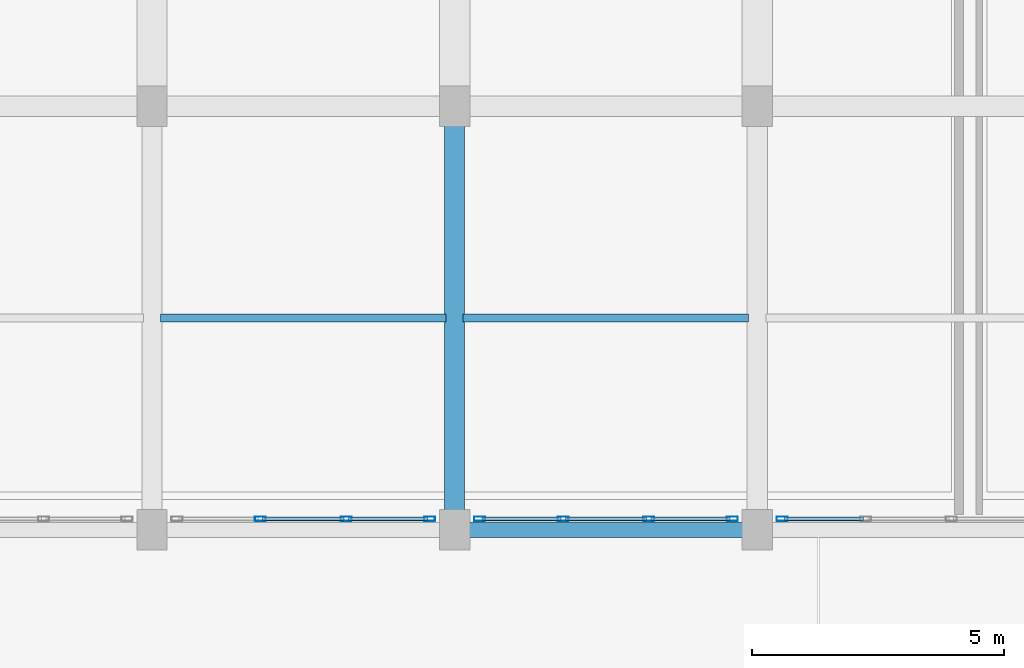
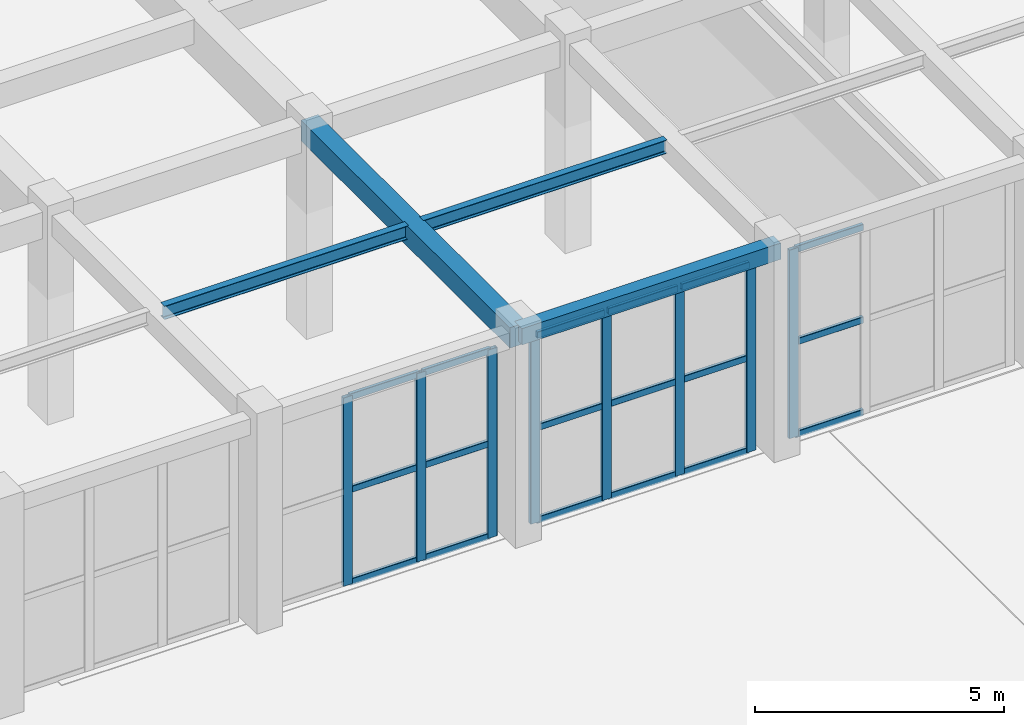
# One storey, part 46 of 98: 26 members, 4 beams, 3 elements without a shape of their own.
"""IFC4 building model written with IfcOpenShell, lengths in metres."""

from ifc_helpers import new_model, si_unit, direction, frame, origin, origin_2d, place, context, subcontext, project, spatial, rectangle, hollow_rectangle, i_section, extrude, material, layer, layer_set, material_profile, profile_set, type_object, element, aggregate, save


model = new_model("IFC4")

# Units and contexts
model_context = context("Model", 3, precision=1e-05, world=origin(), true_north=direction((0.0, 1.0)))
body_context = subcontext(model_context, "Body", "Model", "MODEL_VIEW")
ifc_project = project(units=[si_unit("LENGTHUNIT", "METRE"), si_unit("AREAUNIT", "SQUARE_METRE"), si_unit("VOLUMEUNIT", "CUBIC_METRE"), si_unit("PLANEANGLEUNIT", "RADIAN"), si_unit("MASSUNIT", "GRAM", prefix="KILO")], contexts=[model_context])

# Site, building, storey
site_placement = place(None, origin())
site = spatial("IfcSite", under=ifc_project, at=site_placement, CompositionType="ELEMENT")
building_placement = place(site_placement, origin())
building = spatial("IfcBuilding", under=site, at=building_placement, Name="Tarnavel Promenade Courthouse", CompositionType="ELEMENT")
storey_placement = place(building_placement, origin())
storey = spatial("IfcBuildingStorey", under=building, at=storey_placement, Name="L01", CompositionType="ELEMENT", Elevation=0.0)

# Beams
ifc_material_1 = material(Name="Concrete C40/50", Category="concrete")
ifc_material_profile_1 = material_profile(ifc_material_1, rectangle(XDim=0.39990234375, YDim=0.5, at=origin_2d()), Name="RC 400x500")
ifc_profile_set_1 = profile_set([ifc_material_profile_1], Name="Concrete C40/50")
beam_type_1 = type_object("IfcBeamType", Name="Concrete C40/50 BM-RC-400x500 (RC 400x500)", PredefinedType="BEAM", material=ifc_profile_set_1)
beam_1_placement = place(storey_placement, frame((132.0, 28.800048828125, 4.885009765625), z_axis=(0.0, 1.0, 0.0), x_axis=(-1.0, 0.0, 0.0)))
element("IfcBeam", 1, at=beam_1_placement, inside=storey, type_object=beam_type_1, Name="L01 Transverse Girder 0850", PredefinedType="BEAM", context=body_context, shape_type="SweptSolid", body=[
    extrude(rectangle(XDim=0.39990234375, YDim=0.5, at=origin_2d()), origin(), (0.0, 0.0, 1.0), 8.39990234375),
])
ifc_material_profile_2 = material_profile(ifc_material_1, rectangle(XDim=0.300048828125, YDim=0.39990234375, at=origin_2d()), Name="RC 300x400")
ifc_profile_set_2 = profile_set([ifc_material_profile_2], Name="Concrete C40/50")
beam_type_2 = type_object("IfcBeamType", Name="Concrete C40/50 BM-SP-300x400 (RC 300x400)", PredefinedType="SPANDREL", material=ifc_profile_set_2)
beam_2_placement = place(storey_placement, frame((132.0, 28.800048828125, 4.93505859375), z_axis=(1.0, 0.0, 0.0), x_axis=(0.0, 1.0, 0.0)))
element("IfcBeam", 2, at=beam_2_placement, inside=storey, type_object=beam_type_2, Name="L01 Primary Longitudinal Beam 0593", PredefinedType="SPANDREL", context=body_context, shape_type="SweptSolid", body=[
    extrude(rectangle(XDim=0.300048828125, YDim=0.39990234375, at=origin_2d()), origin(), (0.0, 0.0, 1.0), 6.0),
])
ifc_material_2 = material(Name="Steel S355J2", Category="steel")
ifc_material_profile_3 = material_profile(ifc_material_2, i_section(OverallWidth=0.159912109375, OverallDepth=0.330078125, WebThickness=0.007568359375, FlangeThickness=0.011474609375, FilletRadius=0.01806640625, at=origin_2d()), Name="IPE 330")
ifc_profile_set_3 = profile_set([ifc_material_profile_3], Name="Steel S355J2")
beam_type_3 = type_object("IfcBeamType", Name="Steel S355J2 BM-ST-IPE330 (IPE 330)", PredefinedType="JOIST", material=ifc_profile_set_3)
for number, where, z_axis, x_axis, name in (
    (3, (126.169921875, 33.0, 4.969970703125), (1.0, 0.0, 0.0), (0.0, 1.0, 0.0), "L01 Secondary Floor Rib 0907"),
    (4, (132.169921875, 33.0, 4.969970703125), (1.0, 0.0, 0.0), (0.0, 1.0, 0.0), "L01 Secondary Floor Rib 0908"),
):
    element("IfcBeam", number, at=place(storey_placement, frame(where, z_axis=z_axis, x_axis=x_axis)), inside=storey, type_object=beam_type_3, Name=name, PredefinedType="JOIST", context=body_context, shape_type="SweptSolid", body=[
        extrude(i_section(OverallWidth=0.159912109375, OverallDepth=0.330078125, WebThickness=0.007568359375, FlangeThickness=0.011474609375, FilletRadius=0.01806640625, at=origin_2d()), origin(), (0.0, 0.0, 1.0), 5.66015625),
    ])

# Curtain wall, members
ifc_material_3 = material(Name="Thermally Broken Anodised Aluminium Curtain Wall System", Category="aluminium")
ifc_layer = layer(ifc_material_3, 0.199951171875)
ifc_layer_set = layer_set([ifc_layer], Name="Thermally Broken Anodised Aluminium Curtain Wall System")
curtain_wall_type = type_object("IfcCurtainWallType", Name="Thermally Broken Aluminium Triple-Glazed Curtain Wall CW-FOYER", PredefinedType="NOTDEFINED", material=ifc_layer_set)
curtain_wall_1_placement = place(storey_placement, origin())
curtain_wall_1 = element("IfcCurtainWall", 5, at=curtain_wall_1_placement, inside=storey, type_object=curtain_wall_type, Name="L01 Ceremonial Cloister Curtain Wall 159", PredefinedType="NOTDEFINED")
ifc_material_4 = material(Name="Thermally Broken Anodised Aluminium Frame", Category="aluminium")
ifc_material_profile_4 = material_profile(ifc_material_4, hollow_rectangle(XDim=0.090087890625, YDim=0.219970703125, WallThickness=0.0048828125, InnerFilletRadius=0.0048828125, OuterFilletRadius=0.010009765625, at=origin_2d()), Name="CWM 220x90x5")
ifc_profile_set_4 = profile_set([ifc_material_profile_4], Name="Thermally Broken Anodised Aluminium Frame")
member_type_1 = type_object("IfcMemberType", Name="Thermally Broken Anodised Aluminium CWM-175 (CWM 220x90x5)", PredefinedType="MULLION", material=ifc_profile_set_4)
member_1_placement = place(storey_placement, frame((128.14990234375, 29.02001953125, 0.0), z_axis=(0.0, 0.0, 1.0), x_axis=(0.0, 1.0, 0.0)))
member_1 = element("IfcMember", 6, at=member_1_placement, type_object=member_type_1, Name="CW-04 mullion 2", PredefinedType="MULLION", context=body_context, shape_type="SweptSolid", body=[
    extrude(hollow_rectangle(XDim=0.090087890625, YDim=0.219970703125, WallThickness=0.0048828125, InnerFilletRadius=0.0048828125, OuterFilletRadius=0.010009765625, at=origin_2d()), origin(), (0.0, 0.0, 1.0), 4.6201171875),
])
member_2_placement = place(storey_placement, frame((129.85009765625, 29.02001953125, 0.0), z_axis=(0.0, 0.0, 1.0), x_axis=(0.0, 1.0, 0.0)))
member_2 = element("IfcMember", 7, at=member_2_placement, type_object=member_type_1, Name="CW-04 mullion 3", PredefinedType="MULLION", context=body_context, shape_type="SweptSolid", body=[
    extrude(hollow_rectangle(XDim=0.090087890625, YDim=0.219970703125, WallThickness=0.0048828125, InnerFilletRadius=0.0048828125, OuterFilletRadius=0.010009765625, at=origin_2d()), origin(), (0.0, 0.0, 1.0), 4.6201171875),
])
member_3_placement = place(storey_placement, frame((131.5048828125, 29.02001953125, 0.0), z_axis=(0.0, 0.0, 1.0), x_axis=(0.0, 1.0, 0.0)))
member_3 = element("IfcMember", 8, at=member_3_placement, type_object=member_type_1, Name="CW-04 mullion 4", PredefinedType="MULLION", context=body_context, shape_type="SweptSolid", body=[
    extrude(hollow_rectangle(XDim=0.090087890625, YDim=0.219970703125, WallThickness=0.0048828125, InnerFilletRadius=0.0048828125, OuterFilletRadius=0.010009765625, at=origin_2d()), origin(), (0.0, 0.0, 1.0), 4.6201171875),
])

curtain_wall_2_placement = place(storey_placement, origin())
curtain_wall_2 = element("IfcCurtainWall", 9, at=curtain_wall_2_placement, inside=storey, type_object=curtain_wall_type, Name="L01 Ceremonial Cloister Curtain Wall 160", PredefinedType="NOTDEFINED")
member_4_placement = place(storey_placement, frame((132.4951171875, 29.02001953125, 0.0), z_axis=(0.0, 0.0, 1.0), x_axis=(0.0, 1.0, 0.0)))
member_4 = element("IfcMember", 10, at=member_4_placement, type_object=member_type_1, Name="CW-04 mullion 1", PredefinedType="MULLION", context=body_context, shape_type="SweptSolid", body=[
    extrude(hollow_rectangle(XDim=0.090087890625, YDim=0.219970703125, WallThickness=0.0048828125, InnerFilletRadius=0.0048828125, OuterFilletRadius=0.010009765625, at=origin_2d()), origin(), (0.0, 0.0, 1.0), 4.6201171875),
])
member_5_placement = place(storey_placement, frame((134.14990234375, 29.02001953125, 0.0), z_axis=(0.0, 0.0, 1.0), x_axis=(0.0, 1.0, 0.0)))
member_5 = element("IfcMember", 11, at=member_5_placement, type_object=member_type_1, Name="CW-04 mullion 2", PredefinedType="MULLION", context=body_context, shape_type="SweptSolid", body=[
    extrude(hollow_rectangle(XDim=0.090087890625, YDim=0.219970703125, WallThickness=0.0048828125, InnerFilletRadius=0.0048828125, OuterFilletRadius=0.010009765625, at=origin_2d()), origin(), (0.0, 0.0, 1.0), 4.6201171875),
])
member_6_placement = place(storey_placement, frame((135.85009765625, 29.02001953125, 0.0), z_axis=(0.0, 0.0, 1.0), x_axis=(0.0, 1.0, 0.0)))
member_6 = element("IfcMember", 12, at=member_6_placement, type_object=member_type_1, Name="CW-04 mullion 3", PredefinedType="MULLION", context=body_context, shape_type="SweptSolid", body=[
    extrude(hollow_rectangle(XDim=0.090087890625, YDim=0.219970703125, WallThickness=0.0048828125, InnerFilletRadius=0.0048828125, OuterFilletRadius=0.010009765625, at=origin_2d()), origin(), (0.0, 0.0, 1.0), 4.6201171875),
])
member_7_placement = place(storey_placement, frame((137.5048828125, 29.02001953125, 0.0), z_axis=(0.0, 0.0, 1.0), x_axis=(0.0, 1.0, 0.0)))
member_7 = element("IfcMember", 13, at=member_7_placement, type_object=member_type_1, Name="CW-04 mullion 4", PredefinedType="MULLION", context=body_context, shape_type="SweptSolid", body=[
    extrude(hollow_rectangle(XDim=0.090087890625, YDim=0.219970703125, WallThickness=0.0048828125, InnerFilletRadius=0.0048828125, OuterFilletRadius=0.010009765625, at=origin_2d()), origin(), (0.0, 0.0, 1.0), 4.6201171875),
])

# Curtain wall, member
curtain_wall_3_placement = place(storey_placement, origin())
curtain_wall_3 = element("IfcCurtainWall", 14, at=curtain_wall_3_placement, inside=storey, type_object=curtain_wall_type, Name="L01 Ceremonial Cloister Curtain Wall 161", PredefinedType="NOTDEFINED")
member_8_placement = place(storey_placement, frame((138.4951171875, 29.02001953125, 0.0), z_axis=(0.0, 0.0, 1.0), x_axis=(0.0, 1.0, 0.0)))
member_8 = element("IfcMember", 15, at=member_8_placement, type_object=member_type_1, Name="CW-04 mullion 1", PredefinedType="MULLION", context=body_context, shape_type="SweptSolid", body=[
    extrude(hollow_rectangle(XDim=0.090087890625, YDim=0.219970703125, WallThickness=0.0048828125, InnerFilletRadius=0.0048828125, OuterFilletRadius=0.010009765625, at=origin_2d()), origin(), (0.0, 0.0, 1.0), 4.6201171875),
])

# Member
ifc_material_profile_5 = material_profile(ifc_material_4, hollow_rectangle(XDim=0.080078125, YDim=0.159912109375, WallThickness=0.0048828125, InnerFilletRadius=0.0048828125, OuterFilletRadius=0.010009765625, at=origin_2d()), Name="CWT 160x80x5")
ifc_profile_set_5 = profile_set([ifc_material_profile_5], Name="Thermally Broken Anodised Aluminium Frame")
member_type_2 = type_object("IfcMemberType", Name="Thermally Broken Anodised Aluminium CWT-145 (CWT 160x80x5)", PredefinedType="USERDEFINED", material=ifc_profile_set_5)
member_9_placement = place(storey_placement, frame((128.195068359375, 29.02001953125, 0.0400390625), z_axis=(1.0, 0.0, 0.0), x_axis=(0.0, 1.0, 0.0)))
member_9 = element("IfcMember", 16, at=member_9_placement, type_object=member_type_2, Name="CW-04 transom 2.1", ObjectType="TRANSOM", PredefinedType="USERDEFINED", context=body_context, shape_type="SweptSolid", body=[
    extrude(hollow_rectangle(XDim=0.080078125, YDim=0.159912109375, WallThickness=0.0048828125, InnerFilletRadius=0.0048828125, OuterFilletRadius=0.010009765625, at=origin_2d()), origin(), (0.0, 0.0, 1.0), 1.60986328125),
])

member_10_placement = place(storey_placement, frame((128.195068359375, 29.02001953125, 2.31005859375), z_axis=(1.0, 0.0, 0.0), x_axis=(0.0, 1.0, 0.0)))
member_10 = element("IfcMember", 17, at=member_10_placement, type_object=member_type_2, Name="CW-04 transom 2.2", ObjectType="TRANSOM", PredefinedType="USERDEFINED", context=body_context, shape_type="SweptSolid", body=[
    extrude(hollow_rectangle(XDim=0.080078125, YDim=0.159912109375, WallThickness=0.0048828125, InnerFilletRadius=0.0048828125, OuterFilletRadius=0.010009765625, at=origin_2d()), origin(), (0.0, 0.0, 1.0), 1.60986328125),
])

member_11_placement = place(storey_placement, frame((128.195068359375, 29.02001953125, 4.580078125), z_axis=(1.0, 0.0, 0.0), x_axis=(0.0, 1.0, 0.0)))
member_11 = element("IfcMember", 18, at=member_11_placement, type_object=member_type_2, Name="CW-04 transom 2.3", ObjectType="TRANSOM", PredefinedType="USERDEFINED", context=body_context, shape_type="SweptSolid", body=[
    extrude(hollow_rectangle(XDim=0.080078125, YDim=0.159912109375, WallThickness=0.0048828125, InnerFilletRadius=0.0048828125, OuterFilletRadius=0.010009765625, at=origin_2d()), origin(), (0.0, 0.0, 1.0), 1.60986328125),
])

member_12_placement = place(storey_placement, frame((129.89501953125, 29.02001953125, 0.0400390625), z_axis=(1.0, 0.0, 0.0), x_axis=(0.0, 1.0, 0.0)))
member_12 = element("IfcMember", 19, at=member_12_placement, type_object=member_type_2, Name="CW-04 transom 3.1", ObjectType="TRANSOM", PredefinedType="USERDEFINED", context=body_context, shape_type="SweptSolid", body=[
    extrude(hollow_rectangle(XDim=0.080078125, YDim=0.159912109375, WallThickness=0.0048828125, InnerFilletRadius=0.0048828125, OuterFilletRadius=0.010009765625, at=origin_2d()), origin(), (0.0, 0.0, 1.0), 1.56494140625),
])

member_13_placement = place(storey_placement, frame((129.89501953125, 29.02001953125, 2.31005859375), z_axis=(1.0, 0.0, 0.0), x_axis=(0.0, 1.0, 0.0)))
member_13 = element("IfcMember", 20, at=member_13_placement, type_object=member_type_2, Name="CW-04 transom 3.2", ObjectType="TRANSOM", PredefinedType="USERDEFINED", context=body_context, shape_type="SweptSolid", body=[
    extrude(hollow_rectangle(XDim=0.080078125, YDim=0.159912109375, WallThickness=0.0048828125, InnerFilletRadius=0.0048828125, OuterFilletRadius=0.010009765625, at=origin_2d()), origin(), (0.0, 0.0, 1.0), 1.56494140625),
])

member_14_placement = place(storey_placement, frame((129.89501953125, 29.02001953125, 4.580078125), z_axis=(1.0, 0.0, 0.0), x_axis=(0.0, 1.0, 0.0)))
member_14 = element("IfcMember", 21, at=member_14_placement, type_object=member_type_2, Name="CW-04 transom 3.3", ObjectType="TRANSOM", PredefinedType="USERDEFINED", context=body_context, shape_type="SweptSolid", body=[
    extrude(hollow_rectangle(XDim=0.080078125, YDim=0.159912109375, WallThickness=0.0048828125, InnerFilletRadius=0.0048828125, OuterFilletRadius=0.010009765625, at=origin_2d()), origin(), (0.0, 0.0, 1.0), 1.56494140625),
])

aggregate(curtain_wall_1, [member_1, member_2, member_3, member_9, member_10, member_11, member_12, member_13, member_14])

member_15_placement = place(storey_placement, frame((132.5400390625, 29.02001953125, 0.0400390625), z_axis=(1.0, 0.0, 0.0), x_axis=(0.0, 1.0, 0.0)))
member_15 = element("IfcMember", 22, at=member_15_placement, type_object=member_type_2, Name="CW-04 transom 1.1", ObjectType="TRANSOM", PredefinedType="USERDEFINED", context=body_context, shape_type="SweptSolid", body=[
    extrude(hollow_rectangle(XDim=0.080078125, YDim=0.159912109375, WallThickness=0.0048828125, InnerFilletRadius=0.0048828125, OuterFilletRadius=0.010009765625, at=origin_2d()), origin(), (0.0, 0.0, 1.0), 1.56494140625),
])

member_16_placement = place(storey_placement, frame((132.5400390625, 29.02001953125, 2.31005859375), z_axis=(1.0, 0.0, 0.0), x_axis=(0.0, 1.0, 0.0)))
member_16 = element("IfcMember", 23, at=member_16_placement, type_object=member_type_2, Name="CW-04 transom 1.2", ObjectType="TRANSOM", PredefinedType="USERDEFINED", context=body_context, shape_type="SweptSolid", body=[
    extrude(hollow_rectangle(XDim=0.080078125, YDim=0.159912109375, WallThickness=0.0048828125, InnerFilletRadius=0.0048828125, OuterFilletRadius=0.010009765625, at=origin_2d()), origin(), (0.0, 0.0, 1.0), 1.56494140625),
])

member_17_placement = place(storey_placement, frame((132.5400390625, 29.02001953125, 4.580078125), z_axis=(1.0, 0.0, 0.0), x_axis=(0.0, 1.0, 0.0)))
member_17 = element("IfcMember", 24, at=member_17_placement, type_object=member_type_2, Name="CW-04 transom 1.3", ObjectType="TRANSOM", PredefinedType="USERDEFINED", context=body_context, shape_type="SweptSolid", body=[
    extrude(hollow_rectangle(XDim=0.080078125, YDim=0.159912109375, WallThickness=0.0048828125, InnerFilletRadius=0.0048828125, OuterFilletRadius=0.010009765625, at=origin_2d()), origin(), (0.0, 0.0, 1.0), 1.56494140625),
])

member_18_placement = place(storey_placement, frame((134.195068359375, 29.02001953125, 0.0400390625), z_axis=(1.0, 0.0, 0.0), x_axis=(0.0, 1.0, 0.0)))
member_18 = element("IfcMember", 25, at=member_18_placement, type_object=member_type_2, Name="CW-04 transom 2.1", ObjectType="TRANSOM", PredefinedType="USERDEFINED", context=body_context, shape_type="SweptSolid", body=[
    extrude(hollow_rectangle(XDim=0.080078125, YDim=0.159912109375, WallThickness=0.0048828125, InnerFilletRadius=0.0048828125, OuterFilletRadius=0.010009765625, at=origin_2d()), origin(), (0.0, 0.0, 1.0), 1.60986328125),
])

member_19_placement = place(storey_placement, frame((134.195068359375, 29.02001953125, 2.31005859375), z_axis=(1.0, 0.0, 0.0), x_axis=(0.0, 1.0, 0.0)))
member_19 = element("IfcMember", 26, at=member_19_placement, type_object=member_type_2, Name="CW-04 transom 2.2", ObjectType="TRANSOM", PredefinedType="USERDEFINED", context=body_context, shape_type="SweptSolid", body=[
    extrude(hollow_rectangle(XDim=0.080078125, YDim=0.159912109375, WallThickness=0.0048828125, InnerFilletRadius=0.0048828125, OuterFilletRadius=0.010009765625, at=origin_2d()), origin(), (0.0, 0.0, 1.0), 1.60986328125),
])

member_20_placement = place(storey_placement, frame((134.195068359375, 29.02001953125, 4.580078125), z_axis=(1.0, 0.0, 0.0), x_axis=(0.0, 1.0, 0.0)))
member_20 = element("IfcMember", 27, at=member_20_placement, type_object=member_type_2, Name="CW-04 transom 2.3", ObjectType="TRANSOM", PredefinedType="USERDEFINED", context=body_context, shape_type="SweptSolid", body=[
    extrude(hollow_rectangle(XDim=0.080078125, YDim=0.159912109375, WallThickness=0.0048828125, InnerFilletRadius=0.0048828125, OuterFilletRadius=0.010009765625, at=origin_2d()), origin(), (0.0, 0.0, 1.0), 1.60986328125),
])

member_21_placement = place(storey_placement, frame((135.89501953125, 29.02001953125, 0.0400390625), z_axis=(1.0, 0.0, 0.0), x_axis=(0.0, 1.0, 0.0)))
member_21 = element("IfcMember", 28, at=member_21_placement, type_object=member_type_2, Name="CW-04 transom 3.1", ObjectType="TRANSOM", PredefinedType="USERDEFINED", context=body_context, shape_type="SweptSolid", body=[
    extrude(hollow_rectangle(XDim=0.080078125, YDim=0.159912109375, WallThickness=0.0048828125, InnerFilletRadius=0.0048828125, OuterFilletRadius=0.010009765625, at=origin_2d()), origin(), (0.0, 0.0, 1.0), 1.56494140625),
])

member_22_placement = place(storey_placement, frame((135.89501953125, 29.02001953125, 2.31005859375), z_axis=(1.0, 0.0, 0.0), x_axis=(0.0, 1.0, 0.0)))
member_22 = element("IfcMember", 29, at=member_22_placement, type_object=member_type_2, Name="CW-04 transom 3.2", ObjectType="TRANSOM", PredefinedType="USERDEFINED", context=body_context, shape_type="SweptSolid", body=[
    extrude(hollow_rectangle(XDim=0.080078125, YDim=0.159912109375, WallThickness=0.0048828125, InnerFilletRadius=0.0048828125, OuterFilletRadius=0.010009765625, at=origin_2d()), origin(), (0.0, 0.0, 1.0), 1.56494140625),
])

member_23_placement = place(storey_placement, frame((135.89501953125, 29.02001953125, 4.580078125), z_axis=(1.0, 0.0, 0.0), x_axis=(0.0, 1.0, 0.0)))
member_23 = element("IfcMember", 30, at=member_23_placement, type_object=member_type_2, Name="CW-04 transom 3.3", ObjectType="TRANSOM", PredefinedType="USERDEFINED", context=body_context, shape_type="SweptSolid", body=[
    extrude(hollow_rectangle(XDim=0.080078125, YDim=0.159912109375, WallThickness=0.0048828125, InnerFilletRadius=0.0048828125, OuterFilletRadius=0.010009765625, at=origin_2d()), origin(), (0.0, 0.0, 1.0), 1.56494140625),
])

aggregate(curtain_wall_2, [member_4, member_5, member_6, member_7, member_15, member_16, member_17, member_18, member_19, member_20, member_21, member_22, member_23])

member_24_placement = place(storey_placement, frame((138.5400390625, 29.02001953125, 0.0400390625), z_axis=(1.0, 0.0, 0.0), x_axis=(0.0, 1.0, 0.0)))
member_24 = element("IfcMember", 31, at=member_24_placement, type_object=member_type_2, Name="CW-04 transom 1.1", ObjectType="TRANSOM", PredefinedType="USERDEFINED", context=body_context, shape_type="SweptSolid", body=[
    extrude(hollow_rectangle(XDim=0.080078125, YDim=0.159912109375, WallThickness=0.0048828125, InnerFilletRadius=0.0048828125, OuterFilletRadius=0.010009765625, at=origin_2d()), origin(), (0.0, 0.0, 1.0), 1.56494140625),
])

member_25_placement = place(storey_placement, frame((138.5400390625, 29.02001953125, 2.31005859375), z_axis=(1.0, 0.0, 0.0), x_axis=(0.0, 1.0, 0.0)))
member_25 = element("IfcMember", 32, at=member_25_placement, type_object=member_type_2, Name="CW-04 transom 1.2", ObjectType="TRANSOM", PredefinedType="USERDEFINED", context=body_context, shape_type="SweptSolid", body=[
    extrude(hollow_rectangle(XDim=0.080078125, YDim=0.159912109375, WallThickness=0.0048828125, InnerFilletRadius=0.0048828125, OuterFilletRadius=0.010009765625, at=origin_2d()), origin(), (0.0, 0.0, 1.0), 1.56494140625),
])

member_26_placement = place(storey_placement, frame((138.5400390625, 29.02001953125, 4.580078125), z_axis=(1.0, 0.0, 0.0), x_axis=(0.0, 1.0, 0.0)))
member_26 = element("IfcMember", 33, at=member_26_placement, type_object=member_type_2, Name="CW-04 transom 1.3", ObjectType="TRANSOM", PredefinedType="USERDEFINED", context=body_context, shape_type="SweptSolid", body=[
    extrude(hollow_rectangle(XDim=0.080078125, YDim=0.159912109375, WallThickness=0.0048828125, InnerFilletRadius=0.0048828125, OuterFilletRadius=0.010009765625, at=origin_2d()), origin(), (0.0, 0.0, 1.0), 1.56494140625),
])

aggregate(curtain_wall_3, [member_8, member_24, member_25, member_26])

save(model, "model.ifc")
